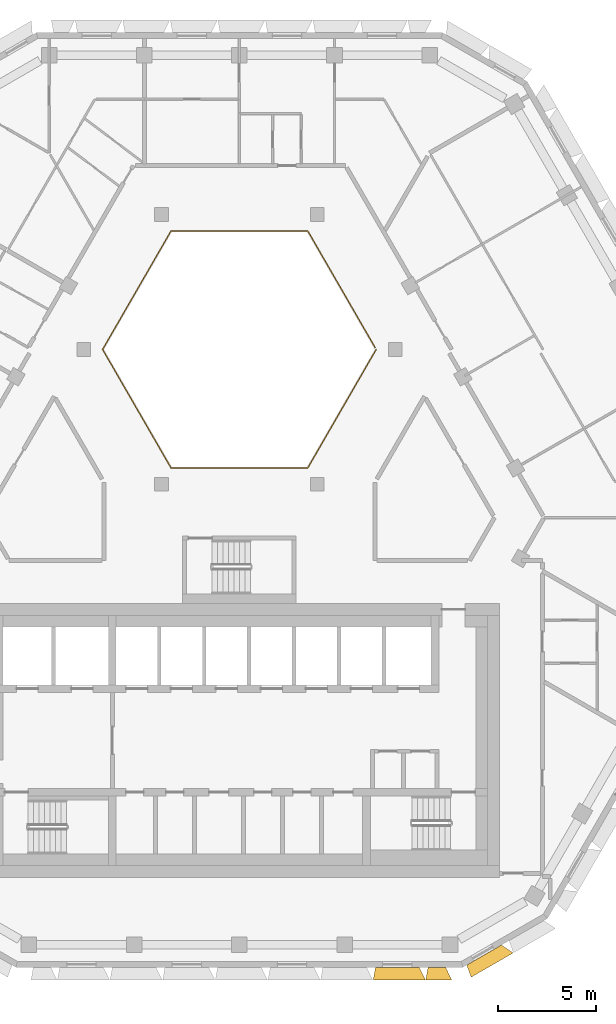
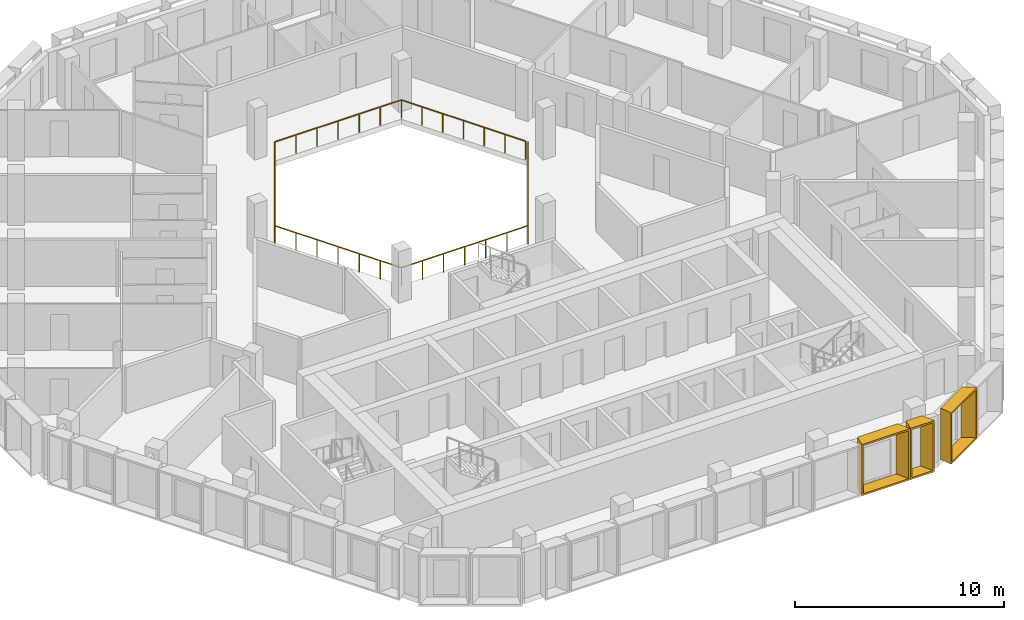
# One storey, part 13 of 15: 3 shading devices, 1 railing.
"""IFC4 building model written with IfcOpenShell, lengths in metres."""

from ifc_helpers import new_model, entity, si_unit, direction, frame, origin, origin_2d, place, context, subcontext, project, spatial, rectangle, extrude, source, transform, mapped, material, type_object, type_shapes, element, save


model = new_model("IFC4")

# Units and contexts
model_context = context("Model", 3, precision=1e-05, world=origin(), true_north=direction((0.0, 1.0)))
body_context = subcontext(model_context, "Body", "Model", "MODEL_VIEW")
ifc_project = project(units=[si_unit("LENGTHUNIT", "METRE"), si_unit("AREAUNIT", "SQUARE_METRE"), si_unit("VOLUMEUNIT", "CUBIC_METRE"), si_unit("PLANEANGLEUNIT", "RADIAN"), si_unit("MASSUNIT", "GRAM", prefix="KILO")], contexts=[model_context])

# Site, building, storey
site_placement = place(None, origin())
site = spatial("IfcSite", under=ifc_project, at=site_placement, CompositionType="ELEMENT")
building_placement = place(site_placement, origin())
building = spatial("IfcBuilding", under=site, at=building_placement, Name="Beryl Residences", CompositionType="ELEMENT")
storey_placement = place(building_placement, frame((0.0, 0.0, 169.199951171875)))
storey = spatial("IfcBuildingStorey", under=building, at=storey_placement, Name="L51", CompositionType="ELEMENT", Elevation=169.199951171875)

# Railing
ifc_material_1 = material(Name="Stainless steel balustrade with glass infill", Category="steel")
railing_type = type_object("IfcRailingType", Name="EG1 edge guard 1100 mm", PredefinedType="GUARDRAIL", material=ifc_material_1)
railing_placement = place(storey_placement, frame((6.9970703125, 8.0, 0.0)))
element("IfcRailing", 1, at=railing_placement, inside=storey, type_object=railing_type, Name="L51 atrium guard", PredefinedType="GUARDRAIL", context=body_context, shape_type="SweptSolid", body=[
    extrude(rectangle(XDim=0.048095703125, YDim=0.048095703125, at=origin_2d()), frame((0.0, 0.0, 1.076171875), z_axis=(-0.499921796684, -0.866070549782, 0.0), x_axis=(0.866070549782, -0.499921796684, 0.0)), (0.0, 0.0, 1.0), 6.9970703125),
    extrude(rectangle(XDim=0.048095703125, YDim=0.048095703125, at=origin_2d()), frame((-3.498046875, -6.06005859375, 1.076171875), z_axis=(-1.0, 0.0, 0.0), x_axis=(0.0, -1.0, 0.0)), (0.0, 0.0, 1.0), 6.998046875),
    extrude(rectangle(XDim=0.048095703125, YDim=0.048095703125, at=origin_2d()), frame((-10.49609375, -6.06005859375, 1.076171875), z_axis=(-0.499921796684, 0.866070549782, 0.0), x_axis=(-0.866070549782, -0.499921796684, 0.0)), (0.0, 0.0, 1.0), 6.9970703125),
    extrude(rectangle(XDim=0.048095703125, YDim=0.048095703125, at=origin_2d()), frame((-13.994140625, 0.0, 1.076171875), z_axis=(0.499921796684, 0.866070549782, 0.0), x_axis=(-0.866070549782, 0.499921796684, 0.0)), (0.0, 0.0, 1.0), 6.9970703125),
    extrude(rectangle(XDim=0.048095703125, YDim=0.048095703125, at=origin_2d()), frame((-10.49609375, 6.06005859375, 1.076171875), z_axis=(1.0, 0.0, 0.0), x_axis=(0.0, 1.0, 0.0)), (0.0, 0.0, 1.0), 6.998046875),
    extrude(rectangle(XDim=0.048095703125, YDim=0.048095703125, at=origin_2d()), frame((-3.498046875, 6.06005859375, 1.076171875), z_axis=(0.499919131929, -0.866072087953, 0.0), x_axis=(0.866072087953, 0.499919131929, 0.0)), (0.0, 0.0, 1.0), 6.877197265625),
    extrude(rectangle(XDim=0.0419921875, YDim=0.0419921875, at=origin_2d()), origin(), (0.0, 0.0, 1.0), 1.052001953125),
    extrude(rectangle(XDim=0.0419921875, YDim=0.0419921875, at=origin_2d()), frame((-0.5830078125, -1.010009765625, 0.0)), (0.0, 0.0, 1.0), 1.052001953125),
    extrude(rectangle(XDim=0.0419921875, YDim=0.0419921875, at=origin_2d()), frame((-1.166015625, -2.02001953125, 0.0)), (0.0, 0.0, 1.0), 1.052001953125),
    extrude(rectangle(XDim=0.0419921875, YDim=0.0419921875, at=origin_2d()), frame((-1.7490234375, -3.030029296875, 0.0)), (0.0, 0.0, 1.0), 1.052001953125),
    extrude(rectangle(XDim=0.0419921875, YDim=0.0419921875, at=origin_2d()), frame((-2.33203125, -4.0400390625, 0.0)), (0.0, 0.0, 1.0), 1.052001953125),
    extrude(rectangle(XDim=0.0419921875, YDim=0.0419921875, at=origin_2d()), frame((-2.9150390625, -5.050048828125, 0.0)), (0.0, 0.0, 1.0), 1.052001953125),
    extrude(rectangle(XDim=0.0419921875, YDim=0.0419921875, at=origin_2d()), frame((-3.498046875, -6.06005859375, 0.0)), (0.0, 0.0, 1.0), 1.052001953125),
    extrude(rectangle(XDim=0.0419921875, YDim=0.0419921875, at=origin_2d()), frame((-4.664306640625, -6.06005859375, 0.0)), (0.0, 0.0, 1.0), 1.052001953125),
    extrude(rectangle(XDim=0.0419921875, YDim=0.0419921875, at=origin_2d()), frame((-5.830810546875, -6.06005859375, 0.0)), (0.0, 0.0, 1.0), 1.052001953125),
    extrude(rectangle(XDim=0.0419921875, YDim=0.0419921875, at=origin_2d()), frame((-6.9970703125, -6.06005859375, 0.0)), (0.0, 0.0, 1.0), 1.052001953125),
    extrude(rectangle(XDim=0.0419921875, YDim=0.0419921875, at=origin_2d()), frame((-8.163330078125, -6.06005859375, 0.0)), (0.0, 0.0, 1.0), 1.052001953125),
    extrude(rectangle(XDim=0.0419921875, YDim=0.0419921875, at=origin_2d()), frame((-9.329833984375, -6.06005859375, 0.0)), (0.0, 0.0, 1.0), 1.052001953125),
    extrude(rectangle(XDim=0.0419921875, YDim=0.0419921875, at=origin_2d()), frame((-10.49609375, -6.06005859375, 0.0)), (0.0, 0.0, 1.0), 1.052001953125),
    extrude(rectangle(XDim=0.0419921875, YDim=0.0419921875, at=origin_2d()), frame((-11.0791015625, -5.050048828125, 0.0)), (0.0, 0.0, 1.0), 1.052001953125),
    extrude(rectangle(XDim=0.0419921875, YDim=0.0419921875, at=origin_2d()), frame((-11.662109375, -4.0400390625, 0.0)), (0.0, 0.0, 1.0), 1.052001953125),
    extrude(rectangle(XDim=0.0419921875, YDim=0.0419921875, at=origin_2d()), frame((-12.2451171875, -3.030029296875, 0.0)), (0.0, 0.0, 1.0), 1.052001953125),
    extrude(rectangle(XDim=0.0419921875, YDim=0.0419921875, at=origin_2d()), frame((-12.828125, -2.02001953125, 0.0)), (0.0, 0.0, 1.0), 1.052001953125),
    extrude(rectangle(XDim=0.0419921875, YDim=0.0419921875, at=origin_2d()), frame((-13.4111328125, -1.010009765625, 0.0)), (0.0, 0.0, 1.0), 1.052001953125),
    extrude(rectangle(XDim=0.0419921875, YDim=0.0419921875, at=origin_2d()), frame((-13.994140625, 0.0, 0.0)), (0.0, 0.0, 1.0), 1.052001953125),
    extrude(rectangle(XDim=0.0419921875, YDim=0.0419921875, at=origin_2d()), frame((-13.4111328125, 1.010009765625, 0.0)), (0.0, 0.0, 1.0), 1.052001953125),
    extrude(rectangle(XDim=0.0419921875, YDim=0.0419921875, at=origin_2d()), frame((-12.828125, 2.02001953125, 0.0)), (0.0, 0.0, 1.0), 1.052001953125),
    extrude(rectangle(XDim=0.0419921875, YDim=0.0419921875, at=origin_2d()), frame((-12.2451171875, 3.030029296875, 0.0)), (0.0, 0.0, 1.0), 1.052001953125),
    extrude(rectangle(XDim=0.0419921875, YDim=0.0419921875, at=origin_2d()), frame((-11.662109375, 4.0400390625, 0.0)), (0.0, 0.0, 1.0), 1.052001953125),
    extrude(rectangle(XDim=0.0419921875, YDim=0.0419921875, at=origin_2d()), frame((-11.0791015625, 5.050048828125, 0.0)), (0.0, 0.0, 1.0), 1.052001953125),
    extrude(rectangle(XDim=0.0419921875, YDim=0.0419921875, at=origin_2d()), frame((-10.49609375, 6.06005859375, 0.0)), (0.0, 0.0, 1.0), 1.052001953125),
    extrude(rectangle(XDim=0.0419921875, YDim=0.0419921875, at=origin_2d()), frame((-9.329833984375, 6.06005859375, 0.0)), (0.0, 0.0, 1.0), 1.052001953125),
    extrude(rectangle(XDim=0.0419921875, YDim=0.0419921875, at=origin_2d()), frame((-8.163330078125, 6.06005859375, 0.0)), (0.0, 0.0, 1.0), 1.052001953125),
    extrude(rectangle(XDim=0.0419921875, YDim=0.0419921875, at=origin_2d()), frame((-6.9970703125, 6.06005859375, 0.0)), (0.0, 0.0, 1.0), 1.052001953125),
    extrude(rectangle(XDim=0.0419921875, YDim=0.0419921875, at=origin_2d()), frame((-5.830810546875, 6.06005859375, 0.0)), (0.0, 0.0, 1.0), 1.052001953125),
    extrude(rectangle(XDim=0.0419921875, YDim=0.0419921875, at=origin_2d()), frame((-4.664306640625, 6.06005859375, 0.0)), (0.0, 0.0, 1.0), 1.052001953125),
    extrude(rectangle(XDim=0.0419921875, YDim=0.0419921875, at=origin_2d()), frame((-3.498046875, 6.06005859375, 0.0)), (0.0, 0.0, 1.0), 1.052001953125),
    extrude(rectangle(XDim=0.0419921875, YDim=0.0419921875, at=origin_2d()), frame((-2.925048828125, 5.0673828125, 0.0)), (0.0, 0.0, 1.0), 1.052001953125),
    extrude(rectangle(XDim=0.0419921875, YDim=0.0419921875, at=origin_2d()), frame((-2.35205078125, 4.07470703125, 0.0)), (0.0, 0.0, 1.0), 1.052001953125),
    extrude(rectangle(XDim=0.0419921875, YDim=0.0419921875, at=origin_2d()), frame((-1.779052734375, 3.08203125, 0.0)), (0.0, 0.0, 1.0), 1.052001953125),
    extrude(rectangle(XDim=0.0419921875, YDim=0.0419921875, at=origin_2d()), frame((-1.2060546875, 2.08935546875, 0.0)), (0.0, 0.0, 1.0), 1.052001953125),
    extrude(rectangle(XDim=0.0419921875, YDim=0.0419921875, at=origin_2d()), frame((-0.633056640625, 1.0966796875, 0.0)), (0.0, 0.0, 1.0), 1.052001953125),
    extrude(rectangle(XDim=0.0419921875, YDim=0.0419921875, at=origin_2d()), frame((-0.06005859375, 0.10400390625, 0.0)), (0.0, 0.0, 1.0), 1.052001953125),
])

# Shading devices
ifc_material_2 = material(Name="Aluminium pale anodised", Category="aluminium")
shading_device_type_1 = type_object("IfcShadingDeviceType", Name="FR135-65C OUTER SKIN frame 650 mm deep, splay 10/26 deg, 1350 x 3000 mm cell", PredefinedType="USERDEFINED", material=ifc_material_2)
cartesian_point_1 = entity("IfcCartesianPoint", [-0.448974609375, 0.0])
cartesian_point_2 = entity("IfcCartesianPoint", [-0.36767578125, 0.10009765625])
cartesian_point_3 = entity("IfcCartesianPoint", [-0.563720703125, 0.0])
cartesian_point_4 = entity("IfcCartesianPoint", [-0.482421875, 0.10009765625])
shared_shape_1 = source(origin(), body_context, "Body", "SweptSolid", [
    entity("IfcExtrudedAreaSolidTapered", entity("IfcArbitraryProfileDefWithVoids", "AREA", None, entity("IfcPolyline", [cartesian_point_1, entity("IfcCartesianPoint", [0.448974609375, 0.0]), entity("IfcCartesianPoint", [0.448974609375, 3.0]), entity("IfcCartesianPoint", [-0.448974609375, 3.0]), cartesian_point_1]), [entity("IfcPolyline", [cartesian_point_2, entity("IfcCartesianPoint", [0.360107421875, 0.10009765625]), entity("IfcCartesianPoint", [0.360107421875, 2.89990234375]), entity("IfcCartesianPoint", [-0.36767578125, 2.89990234375]), cartesian_point_2])]), entity("IfcAxis2Placement3D", entity("IfcCartesianPoint", [0.0, 0.0, 0.0]), entity("IfcDirection", [0.0, 1.0, 0.0]), entity("IfcDirection", [-1.0, 0.0, 0.0])), entity("IfcDirection", [0.0, 0.0, 1.0]), 0.64990234375, entity("IfcArbitraryProfileDefWithVoids", "AREA", None, entity("IfcPolyline", [cartesian_point_3, entity("IfcCartesianPoint", [0.76611328125, 0.0]), entity("IfcCartesianPoint", [0.76611328125, 3.0]), entity("IfcCartesianPoint", [-0.563720703125, 3.0]), cartesian_point_3]), [entity("IfcPolyline", [cartesian_point_4, entity("IfcCartesianPoint", [0.677001953125, 0.10009765625]), entity("IfcCartesianPoint", [0.677001953125, 2.89990234375]), entity("IfcCartesianPoint", [-0.482421875, 2.89990234375]), cartesian_point_4])])),
])
type_shapes(shading_device_type_1, [shared_shape_1])
shading_device_1_placement = place(storey_placement, frame((10.095947265625, -23.60009765625, 0.0), z_axis=(0.0, 0.0, 1.0), x_axis=(-1.0, 0.0, 0.0)))
element("IfcShadingDevice", 2, at=shading_device_1_placement, inside=storey, type_object=shading_device_type_1, Name="FR135-65C frame L51 S 9", ObjectType="OUTER SKIN", PredefinedType="USERDEFINED", context=body_context, shape_type="MappedRepresentation", body=[
    mapped(shared_shape_1, transform((0.0, 0.0, 0.0))),
])
ifc_material_3 = material(Name="Aluminium pale anodised", Category="aluminium")
shading_device_type_2 = type_object("IfcShadingDeviceType", Name="FR250-65C OUTER SKIN frame 650 mm deep, splay 10/26 deg, 2500 x 3000 mm cell", PredefinedType="USERDEFINED", material=ifc_material_3)
cartesian_point_5 = entity("IfcCartesianPoint", [-1.02392578125, 0.0])
cartesian_point_6 = entity("IfcCartesianPoint", [-0.94287109375, 0.10009765625])
cartesian_point_7 = entity("IfcCartesianPoint", [-1.138671875, 0.0])
cartesian_point_8 = entity("IfcCartesianPoint", [-1.057373046875, 0.10009765625])
shared_shape_2 = source(origin(), body_context, "Body", "SweptSolid", [
    entity("IfcExtrudedAreaSolidTapered", entity("IfcArbitraryProfileDefWithVoids", "AREA", None, entity("IfcPolyline", [cartesian_point_5, entity("IfcCartesianPoint", [1.02392578125, 0.0]), entity("IfcCartesianPoint", [1.02392578125, 3.0]), entity("IfcCartesianPoint", [-1.02392578125, 3.0]), cartesian_point_5]), [entity("IfcPolyline", [cartesian_point_6, entity("IfcCartesianPoint", [0.93505859375, 0.10009765625]), entity("IfcCartesianPoint", [0.93505859375, 2.89990234375]), entity("IfcCartesianPoint", [-0.94287109375, 2.89990234375]), cartesian_point_6])]), entity("IfcAxis2Placement3D", entity("IfcCartesianPoint", [0.0, 0.0, 0.0]), entity("IfcDirection", [0.0, 1.0, 0.0]), entity("IfcDirection", [-1.0, 0.0, 0.0])), entity("IfcDirection", [0.0, 0.0, 1.0]), 0.64990234375, entity("IfcArbitraryProfileDefWithVoids", "AREA", None, entity("IfcPolyline", [cartesian_point_7, entity("IfcCartesianPoint", [1.341064453125, 0.0]), entity("IfcCartesianPoint", [1.341064453125, 3.0]), entity("IfcCartesianPoint", [-1.138671875, 3.0]), cartesian_point_7]), [entity("IfcPolyline", [cartesian_point_8, entity("IfcCartesianPoint", [1.251953125, 0.10009765625]), entity("IfcCartesianPoint", [1.251953125, 2.89990234375]), entity("IfcCartesianPoint", [-1.057373046875, 2.89990234375]), cartesian_point_8])])),
])
type_shapes(shading_device_type_2, [shared_shape_2])
shading_device_2_placement = place(storey_placement, frame((12.513916015625, -22.97509765625, 0.0), z_axis=(0.0, 0.0, 1.0), x_axis=(-0.866025403784, -0.5, 0.0)))
element("IfcShadingDevice", 3, at=shading_device_2_placement, inside=storey, type_object=shading_device_type_2, Name="FR250-65C frame L51 S-SE 1", ObjectType="OUTER SKIN", PredefinedType="USERDEFINED", context=body_context, shape_type="MappedRepresentation", body=[
    mapped(shared_shape_2, transform((0.0, 0.0, 0.0))),
])
ifc_material_4 = material(Name="Aluminium pale anodised", Category="aluminium")
shading_device_type_3 = type_object("IfcShadingDeviceType", Name="FR269-65C OUTER SKIN frame 650 mm deep, splay 10/26 deg, 2690 x 3000 mm cell", PredefinedType="USERDEFINED", material=ifc_material_4)
cartesian_point_9 = entity("IfcCartesianPoint", [-1.118896484375, 0.0])
cartesian_point_10 = entity("IfcCartesianPoint", [-1.037841796875, 0.10009765625])
cartesian_point_11 = entity("IfcCartesianPoint", [-1.233642578125, 0.0])
cartesian_point_12 = entity("IfcCartesianPoint", [-1.15234375, 0.10009765625])
shared_shape_3 = source(origin(), body_context, "Body", "SweptSolid", [
    entity("IfcExtrudedAreaSolidTapered", entity("IfcArbitraryProfileDefWithVoids", "AREA", None, entity("IfcPolyline", [cartesian_point_9, entity("IfcCartesianPoint", [1.118896484375, 0.0]), entity("IfcCartesianPoint", [1.118896484375, 3.0]), entity("IfcCartesianPoint", [-1.118896484375, 3.0]), cartesian_point_9]), [entity("IfcPolyline", [cartesian_point_10, entity("IfcCartesianPoint", [1.030029296875, 0.10009765625]), entity("IfcCartesianPoint", [1.030029296875, 2.89990234375]), entity("IfcCartesianPoint", [-1.037841796875, 2.89990234375]), cartesian_point_10])]), entity("IfcAxis2Placement3D", entity("IfcCartesianPoint", [0.0, 0.0, 0.0]), entity("IfcDirection", [0.0, 1.0, 0.0]), entity("IfcDirection", [-1.0, 0.0, 0.0])), entity("IfcDirection", [0.0, 0.0, 1.0]), 0.64990234375, entity("IfcArbitraryProfileDefWithVoids", "AREA", None, entity("IfcPolyline", [cartesian_point_11, entity("IfcCartesianPoint", [1.43603515625, 0.0]), entity("IfcCartesianPoint", [1.43603515625, 3.0]), entity("IfcCartesianPoint", [-1.233642578125, 3.0]), cartesian_point_11]), [entity("IfcPolyline", [cartesian_point_12, entity("IfcCartesianPoint", [1.346923828125, 0.10009765625]), entity("IfcCartesianPoint", [1.346923828125, 2.89990234375]), entity("IfcCartesianPoint", [-1.15234375, 2.89990234375]), cartesian_point_12])])),
])
type_shapes(shading_device_type_3, [shared_shape_3])
shading_device_3_placement = place(storey_placement, frame((8.076904296875, -23.60009765625, 0.0), z_axis=(0.0, 0.0, 1.0), x_axis=(-1.0, 0.0, 0.0)))
element("IfcShadingDevice", 4, at=shading_device_3_placement, inside=storey, type_object=shading_device_type_3, Name="FR269-65C frame L51 S 8", ObjectType="OUTER SKIN", PredefinedType="USERDEFINED", context=body_context, shape_type="MappedRepresentation", body=[
    mapped(shared_shape_3, transform((0.0, 0.0, 0.0))),
])

save(model, "model.ifc")
